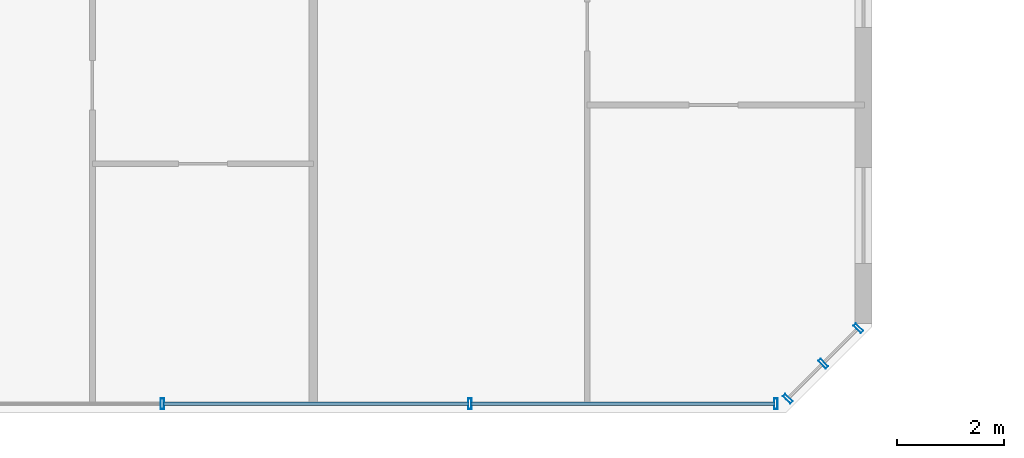
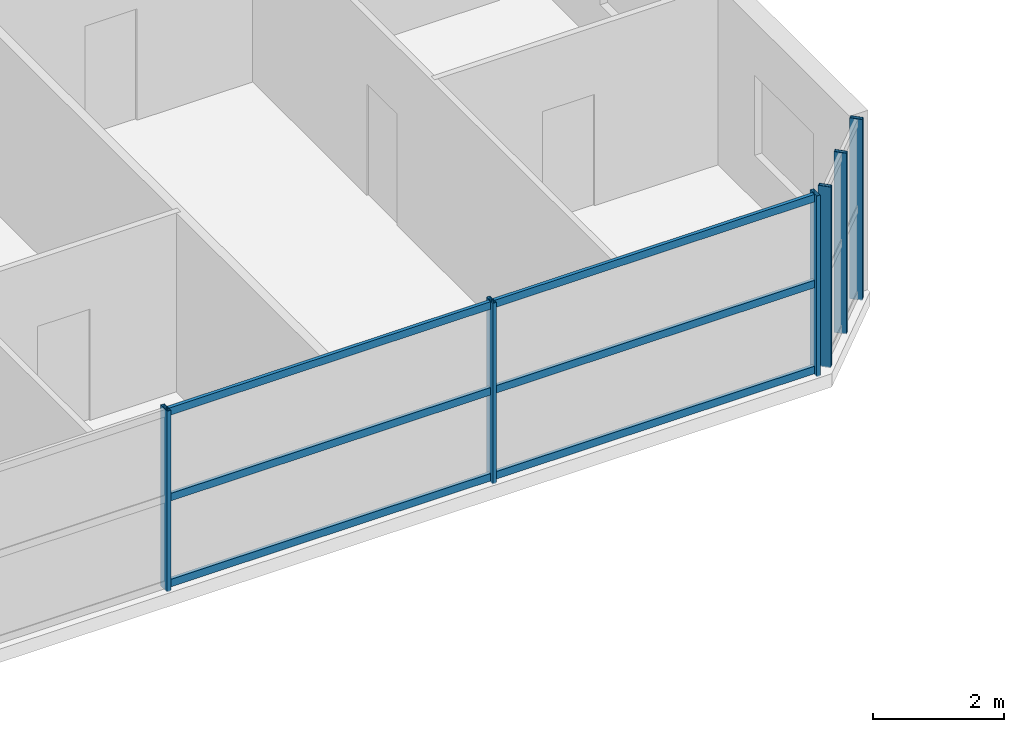
# One storey, part 6 of 20: 12 members, 2 elements without a shape of their own.
"""IFC4 building model written with IfcOpenShell, lengths in metres."""

from ifc_helpers import new_model, si_unit, direction, frame, origin, origin_2d, place, context, subcontext, project, spatial, hollow_rectangle, extrude, source, transform, mapped, material, material_profile, profile_set, type_object, element, aggregate, save


model = new_model("IFC4")

# Units and contexts
model_context = context("Model", 3, precision=1e-05, world=origin(), true_north=direction((0.0, 1.0)))
body_context = subcontext(model_context, "Body", "Model", "MODEL_VIEW")
ifc_project = project(units=[si_unit("LENGTHUNIT", "METRE"), si_unit("AREAUNIT", "SQUARE_METRE"), si_unit("VOLUMEUNIT", "CUBIC_METRE"), si_unit("PLANEANGLEUNIT", "RADIAN"), si_unit("MASSUNIT", "GRAM", prefix="KILO")], contexts=[model_context])

# Site, building, storey
site_placement = place(None, origin())
site = spatial("IfcSite", under=ifc_project, at=site_placement, CompositionType="ELEMENT")
building_placement = place(site_placement, origin())
building = spatial("IfcBuilding", under=site, at=building_placement, Name="Tlacorven Tower", CompositionType="ELEMENT")
storey_placement = place(building_placement, frame((0.0, 0.0, 108.89990234375)))
storey = spatial("IfcBuildingStorey", under=building, at=storey_placement, Name="L27", CompositionType="ELEMENT", Elevation=108.89990234375)

# Curtain wall, members
ifc_material_1 = material(Name="Dark solar low-E double glazing in aluminium frame", Category="aluminium")
curtain_wall_type = type_object("IfcCurtainWallType", Name="CW-TWR-MID", PredefinedType="USERDEFINED", material=ifc_material_1)
curtain_wall_1_placement = place(storey_placement, origin())
curtain_wall_1 = element("IfcCurtainWall", 1, at=curtain_wall_1_placement, inside=storey, type_object=curtain_wall_type, Name="L27 CW-TWR-MID Curtain Wall 136", ObjectType="UNITISED CURTAIN WALL", PredefinedType="USERDEFINED")
ifc_material_2 = material(Name="Aluminium 6063-T6 anodised", Category="aluminium")
ifc_material_profile_1 = material_profile(ifc_material_2, hollow_rectangle(XDim=0.06005859375, YDim=0.139892578125, WallThickness=0.00390625, at=origin_2d()), Name="ALU TRANSOM 60X140")
ifc_profile_set_1 = profile_set([ifc_material_profile_1], Name="Aluminium 6063-T6 anodised")
member_type_1 = type_object("IfcMemberType", Name="CWT-02", PredefinedType="USERDEFINED", material=ifc_profile_set_1)
shared_shape_1 = source(origin(), body_context, "Body", "SweptSolid", [
    extrude(hollow_rectangle(XDim=0.06005859375, YDim=0.139892578125, WallThickness=0.00390625, at=origin_2d()), origin(), (0.0, 0.0, 1.0), 5.682373046875),
])
member_1_placement = place(storey_placement, frame((50.580810546875, 1.9599609375, 0.070068359375), z_axis=(-1.0, 0.0, 0.0), x_axis=(0.0, -1.0, 0.0)))
member_1 = element("IfcMember", 2, at=member_1_placement, type_object=member_type_1, Name="CW-L27-136 Transom 1", ObjectType="TRANSOM", PredefinedType="USERDEFINED", context=body_context, shape_type="MappedRepresentation", body=[
    mapped(shared_shape_1, transform((0.0, 0.0, 0.0), scale=1.0)),
])
member_2_placement = place(storey_placement, frame((50.580810546875, 1.9599609375, 1.675048828125), z_axis=(-1.0, 0.0, 0.0), x_axis=(0.0, -1.0, 0.0)))
member_2 = element("IfcMember", 3, at=member_2_placement, type_object=member_type_1, Name="CW-L27-136 Transom 2", ObjectType="TRANSOM", PredefinedType="USERDEFINED", context=body_context, shape_type="MappedRepresentation", body=[
    mapped(shared_shape_1, transform((0.0, 0.0, 0.0), scale=1.0)),
])
member_3_placement = place(storey_placement, frame((50.580810546875, 1.9599609375, 3.280029296875), z_axis=(-1.0, 0.0, 0.0), x_axis=(0.0, -1.0, 0.0)))
member_3 = element("IfcMember", 4, at=member_3_placement, type_object=member_type_1, Name="CW-L27-136 Transom 3", ObjectType="TRANSOM", PredefinedType="USERDEFINED", context=body_context, shape_type="MappedRepresentation", body=[
    mapped(shared_shape_1, transform((0.0, 0.0, 0.0), scale=1.0)),
])
shared_shape_2 = source(origin(), body_context, "Body", "SweptSolid", [
    extrude(hollow_rectangle(XDim=0.06005859375, YDim=0.139892578125, WallThickness=0.00390625, at=origin_2d()), origin(), (0.0, 0.0, 1.0), 5.71484375),
])
member_4_placement = place(storey_placement, frame((44.857421875, 1.9599609375, 0.070068359375), z_axis=(-1.0, 0.0, 0.0), x_axis=(0.0, -1.0, 0.0)))
member_4 = element("IfcMember", 5, at=member_4_placement, type_object=member_type_1, Name="CW-L27-136 Transom 4", ObjectType="TRANSOM", PredefinedType="USERDEFINED", context=body_context, shape_type="MappedRepresentation", body=[
    mapped(shared_shape_2, transform((0.0, 0.0, 0.0), scale=1.0)),
])
member_5_placement = place(storey_placement, frame((44.857421875, 1.9599609375, 1.675048828125), z_axis=(-1.0, 0.0, 0.0), x_axis=(0.0, -1.0, 0.0)))
member_5 = element("IfcMember", 6, at=member_5_placement, type_object=member_type_1, Name="CW-L27-136 Transom 5", ObjectType="TRANSOM", PredefinedType="USERDEFINED", context=body_context, shape_type="MappedRepresentation", body=[
    mapped(shared_shape_2, transform((0.0, 0.0, 0.0), scale=1.0)),
])
member_6_placement = place(storey_placement, frame((44.857421875, 1.9599609375, 3.280029296875), z_axis=(-1.0, 0.0, 0.0), x_axis=(0.0, -1.0, 0.0)))
member_6 = element("IfcMember", 7, at=member_6_placement, type_object=member_type_1, Name="CW-L27-136 Transom 6", ObjectType="TRANSOM", PredefinedType="USERDEFINED", context=body_context, shape_type="MappedRepresentation", body=[
    mapped(shared_shape_2, transform((0.0, 0.0, 0.0), scale=1.0)),
])

curtain_wall_2_placement = place(storey_placement, origin())
curtain_wall_2 = element("IfcCurtainWall", 8, at=curtain_wall_2_placement, inside=storey, type_object=curtain_wall_type, Name="L27 CW-TWR-MID Curtain Wall 135", ObjectType="UNITISED CURTAIN WALL", PredefinedType="USERDEFINED")
ifc_material_profile_2 = material_profile(ifc_material_2, hollow_rectangle(XDim=0.06494140625, YDim=0.199951171875, WallThickness=0.00439453125, at=origin_2d()), Name="ALU MULLION 65X200")
ifc_profile_set_2 = profile_set([ifc_material_profile_2], Name="Aluminium 6063-T6 anodised")
member_type_2 = type_object("IfcMemberType", Name="CWM-02", PredefinedType="MULLION", material=ifc_profile_set_2)
shared_shape_3 = source(origin(), body_context, "Body", "SweptSolid", [
    extrude(hollow_rectangle(XDim=0.06494140625, YDim=0.199951171875, WallThickness=0.00439453125, at=origin_2d()), origin(), (0.0, 0.0, 1.0), 3.380126953125),
])
member_7_placement = place(storey_placement, frame((52.146240234375, 3.37255859375, -0.02001953125), z_axis=(0.0, 0.0, 1.0), x_axis=(-0.707106781187, -0.707106781187, 0.0)))
member_7 = element("IfcMember", 9, at=member_7_placement, type_object=member_type_2, Name="CW-L27-135 Mullion 1", PredefinedType="MULLION", context=body_context, shape_type="MappedRepresentation", body=[
    mapped(shared_shape_3, transform((0.0, 0.0, 0.0), scale=1.0)),
])
member_8_placement = place(storey_placement, frame((51.48681640625, 2.713134765625, -0.02001953125), z_axis=(0.0, 0.0, 1.0), x_axis=(-0.707106781187, -0.707106781187, 0.0)))
member_8 = element("IfcMember", 10, at=member_8_placement, type_object=member_type_2, Name="CW-L27-135 Mullion 2", PredefinedType="MULLION", context=body_context, shape_type="MappedRepresentation", body=[
    mapped(shared_shape_3, transform((0.0, 0.0, 0.0), scale=1.0)),
])
member_9_placement = place(storey_placement, frame((50.827392578125, 2.0537109375, -0.02001953125), z_axis=(0.0, 0.0, 1.0), x_axis=(-0.707106781187, -0.707106781187, 0.0)))
member_9 = element("IfcMember", 11, at=member_9_placement, type_object=member_type_2, Name="CW-L27-135 Mullion 3", PredefinedType="MULLION", context=body_context, shape_type="MappedRepresentation", body=[
    mapped(shared_shape_3, transform((0.0, 0.0, 0.0), scale=1.0)),
])
aggregate(curtain_wall_2, [member_7, member_8, member_9])

# Member
member_10_placement = place(storey_placement, frame((50.601318359375, 1.9599609375, -0.02001953125), z_axis=(0.0, 0.0, 1.0), x_axis=(-1.0, 0.0, 0.0)))
member_10 = element("IfcMember", 12, at=member_10_placement, type_object=member_type_2, Name="CW-L27-136 Mullion 1", PredefinedType="MULLION", context=body_context, shape_type="MappedRepresentation", body=[
    mapped(shared_shape_3, transform((0.0, 0.0, 0.0), scale=1.0)),
])

member_11_placement = place(storey_placement, frame((44.8779296875, 1.9599609375, -0.02001953125), z_axis=(0.0, 0.0, 1.0), x_axis=(-1.0, 0.0, 0.0)))
member_11 = element("IfcMember", 13, at=member_11_placement, type_object=member_type_2, Name="CW-L27-136 Mullion 2", PredefinedType="MULLION", context=body_context, shape_type="MappedRepresentation", body=[
    mapped(shared_shape_3, transform((0.0, 0.0, 0.0), scale=1.0)),
])

member_12_placement = place(storey_placement, frame((39.1220703125, 1.9599609375, -0.02001953125), z_axis=(0.0, 0.0, 1.0), x_axis=(-1.0, 0.0, 0.0)))
member_12 = element("IfcMember", 14, at=member_12_placement, type_object=member_type_2, Name="CW-L27-136 Mullion 3", PredefinedType="MULLION", context=body_context, shape_type="MappedRepresentation", body=[
    mapped(shared_shape_3, transform((0.0, 0.0, 0.0), scale=1.0)),
])

aggregate(curtain_wall_1, [member_10, member_11, member_12, member_1, member_2, member_3, member_4, member_5, member_6])

save(model, "model.ifc")
